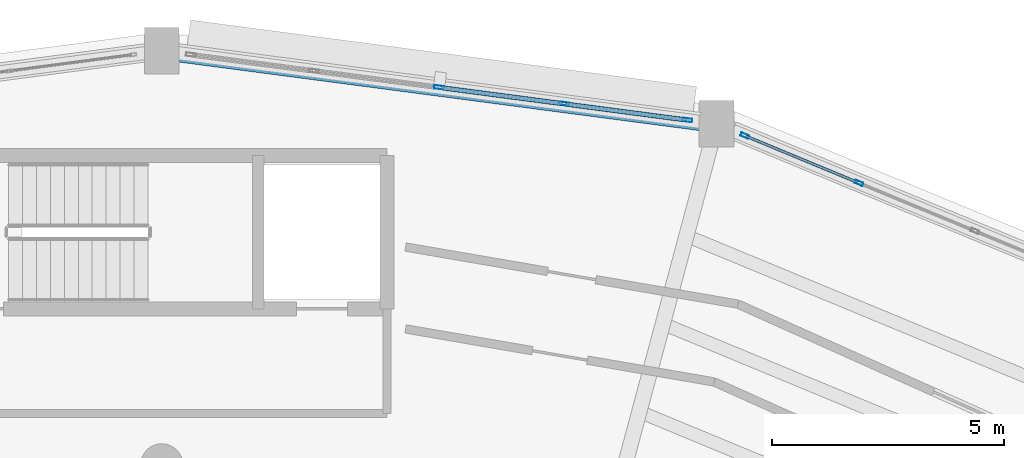
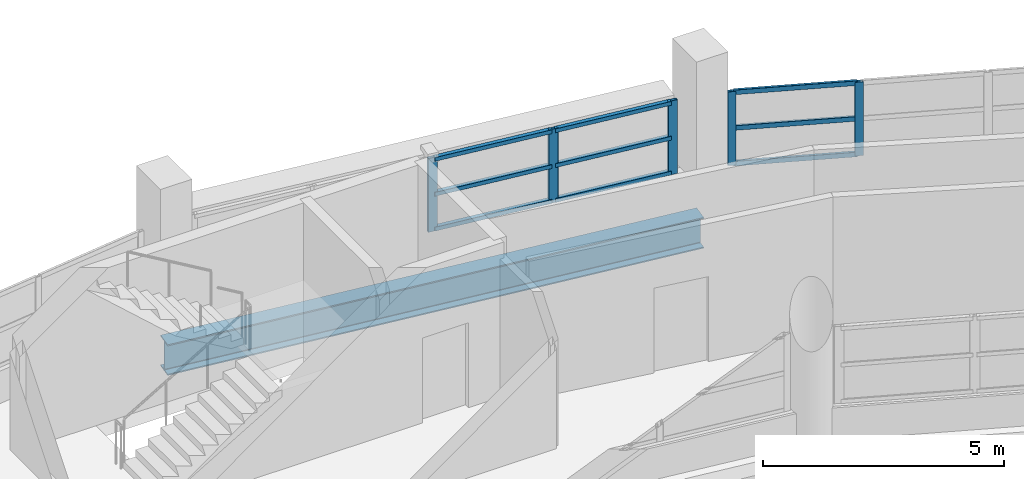
# One storey, part 60 of 121: 14 members, 1 beam, 2 elements without a shape of their own.
"""IFC4 building model written with IfcOpenShell, lengths in metres."""

from ifc_helpers import new_model, si_unit, direction, frame, origin, origin_2d, place, context, subcontext, project, spatial, hollow_rectangle, i_section, extrude, material, layer, layer_set, material_profile, profile_set, type_object, element, aggregate, save


model = new_model("IFC4")

# Units and contexts
model_context = context("Model", 3, precision=1e-05, world=origin(), true_north=direction((0.0, 1.0)))
body_context = subcontext(model_context, "Body", "Model", "MODEL_VIEW")
ifc_project = project(units=[si_unit("LENGTHUNIT", "METRE"), si_unit("AREAUNIT", "SQUARE_METRE"), si_unit("VOLUMEUNIT", "CUBIC_METRE"), si_unit("PLANEANGLEUNIT", "RADIAN"), si_unit("MASSUNIT", "GRAM", prefix="KILO")], contexts=[model_context])

# Site, building, storey
site_placement = place(None, origin())
site = spatial("IfcSite", under=ifc_project, at=site_placement, CompositionType="ELEMENT")
building_placement = place(site_placement, origin())
building = spatial("IfcBuilding", under=site, at=building_placement, Name="Vespera Passage Community Centre", CompositionType="ELEMENT")
storey_placement = place(building_placement, frame((0.0, 0.0, 8.699951171875)))
storey = spatial("IfcBuildingStorey", under=building, at=storey_placement, Name="L02", CompositionType="ELEMENT", Elevation=8.699951171875)

# Beam
ifc_material_1 = material(Name="Steel ASTM A992 Grade 50", Category="steel")
ifc_material_profile_1 = material_profile(ifc_material_1, i_section(OverallWidth=0.382080078125, OverallDepth=0.779296875, WebThickness=0.01806640625, FlangeThickness=0.030029296875, FilletRadius=0.0166015625, at=origin_2d()), Name="W30X191")
ifc_profile_set_1 = profile_set([ifc_material_profile_1], Name="Steel ASTM A992 Grade 50")
beam_type = type_object("IfcBeamType", Name="BM-SP-W30X191E", PredefinedType="SPANDREL", material=ifc_profile_set_1)
beam_placement = place(storey_placement, frame((89.931640625, 110.029296875, -0.729736328125), z_axis=(-0.991445178667, 0.130523782115, 0.0), x_axis=(-0.130523782115, -0.991445178667, 0.0)))
element("IfcBeam", 1, at=beam_placement, inside=storey, type_object=beam_type, Name="V4 L02 Outer Spandrel 5", PredefinedType="SPANDREL", context=body_context, shape_type="SweptSolid", body=[
    extrude(i_section(OverallWidth=0.382080078125, OverallDepth=0.779296875, WebThickness=0.01806640625, FlangeThickness=0.030029296875, FilletRadius=0.0166015625, at=origin_2d()), origin(), (0.0, 0.0, 1.0), 12.03466796875),
])

# Curtain wall, members
ifc_material_2 = material(Name="Anodized aluminium 6063-T6", Category="aluminium")
ifc_layer_1 = layer(ifc_material_2, 0.159912109375)
ifc_layer_set_1 = layer_set([ifc_layer_1], Name="Anodized aluminium 6063-T6")
curtain_wall_type_1 = type_object("IfcCurtainWallType", Name="CW-24E", PredefinedType="NOTDEFINED", material=ifc_layer_set_1)
curtain_wall_1_placement = place(storey_placement, origin())
curtain_wall_1 = element("IfcCurtainWall", 2, at=curtain_wall_1_placement, inside=storey, type_object=curtain_wall_type_1, Name="V4 L02 Outer Ribbon Curtain Wall 4", PredefinedType="NOTDEFINED")
ifc_material_3 = material(Name="Anodized aluminium 6063-T6", Category="aluminium")
ifc_material_profile_2 = material_profile(ifc_material_3, hollow_rectangle(XDim=0.074951171875, YDim=0.179931640625, WallThickness=0.0048828125, InnerFilletRadius=0.00244140625, OuterFilletRadius=0.0048828125, at=origin_2d()), Name="ALU180X75X5")
ifc_profile_set_2 = profile_set([ifc_material_profile_2], Name="Anodized aluminium 6063-T6")
member_type_1 = type_object("IfcMemberType", Name="MB-CWM-180E", PredefinedType="MULLION", material=ifc_profile_set_2)
member_1_placement = place(storey_placement, frame((90.539794921875, 109.77734375, 0.820068359375), z_axis=(0.0, 0.0, 1.0), x_axis=(0.382682936255, 0.923879738007, 0.0)))
member_1 = element("IfcMember", 3, at=member_1_placement, type_object=member_type_1, Name="CW-24E mullion 1", PredefinedType="MULLION", context=body_context, shape_type="SweptSolid", body=[
    extrude(hollow_rectangle(XDim=0.074951171875, YDim=0.179931640625, WallThickness=0.0048828125, InnerFilletRadius=0.00244140625, OuterFilletRadius=0.0048828125, at=origin_2d()), origin(), (0.0, 0.0, 1.0), 1.865478515625),
])
member_2_placement = place(storey_placement, frame((92.998046875, 108.759033203125, 0.820068359375), z_axis=(0.0, 0.0, 1.0), x_axis=(0.382682936255, 0.923879738007, 0.0)))
member_2 = element("IfcMember", 4, at=member_2_placement, type_object=member_type_1, Name="CW-24E mullion 2", PredefinedType="MULLION", context=body_context, shape_type="SweptSolid", body=[
    extrude(hollow_rectangle(XDim=0.074951171875, YDim=0.179931640625, WallThickness=0.0048828125, InnerFilletRadius=0.00244140625, OuterFilletRadius=0.0048828125, at=origin_2d()), origin(), (0.0, 0.0, 1.0), 1.865478515625),
])

ifc_material_4 = material(Name="Anodized aluminium 6063-T6", Category="aluminium")
ifc_layer_2 = layer(ifc_material_4, 0.159912109375)
ifc_layer_set_2 = layer_set([ifc_layer_2], Name="Anodized aluminium 6063-T6")
curtain_wall_type_2 = type_object("IfcCurtainWallType", Name="CW-26E", PredefinedType="NOTDEFINED", material=ifc_layer_set_2)
curtain_wall_2_placement = place(storey_placement, origin())
curtain_wall_2 = element("IfcCurtainWall", 5, at=curtain_wall_2_placement, inside=storey, type_object=curtain_wall_type_2, Name="V4 L02 Outer Ribbon Curtain Wall 5", PredefinedType="NOTDEFINED")
ifc_material_5 = material(Name="Anodized aluminium 6063-T6", Category="aluminium")
ifc_material_profile_3 = material_profile(ifc_material_5, hollow_rectangle(XDim=0.074951171875, YDim=0.2099609375, WallThickness=0.0048828125, InnerFilletRadius=0.00244140625, OuterFilletRadius=0.0048828125, at=origin_2d()), Name="ALU210X75X5")
ifc_profile_set_3 = profile_set([ifc_material_profile_3], Name="Anodized aluminium 6063-T6")
member_type_2 = type_object("IfcMemberType", Name="MB-CWM-210E", PredefinedType="MULLION", material=ifc_profile_set_3)
member_3_placement = place(storey_placement, frame((83.9658203125, 110.814697265625, 0.820068359375), z_axis=(0.0, 0.0, 1.0), x_axis=(0.130530818696, 0.991444252276, 0.0)))
member_3 = element("IfcMember", 6, at=member_3_placement, type_object=member_type_2, Name="CW-26E mullion 3", PredefinedType="MULLION", context=body_context, shape_type="SweptSolid", body=[
    extrude(hollow_rectangle(XDim=0.074951171875, YDim=0.2099609375, WallThickness=0.0048828125, InnerFilletRadius=0.00244140625, OuterFilletRadius=0.0048828125, at=origin_2d()), origin(), (0.0, 0.0, 1.0), 1.865478515625),
])
member_4_placement = place(storey_placement, frame((86.654541015625, 110.460693359375, 0.820068359375), z_axis=(0.0, 0.0, 1.0), x_axis=(0.130530818696, 0.991444252276, 0.0)))
member_4 = element("IfcMember", 7, at=member_4_placement, type_object=member_type_2, Name="CW-26E mullion 4", PredefinedType="MULLION", context=body_context, shape_type="SweptSolid", body=[
    extrude(hollow_rectangle(XDim=0.074951171875, YDim=0.2099609375, WallThickness=0.0048828125, InnerFilletRadius=0.00244140625, OuterFilletRadius=0.0048828125, at=origin_2d()), origin(), (0.0, 0.0, 1.0), 1.865478515625),
])
member_5_placement = place(storey_placement, frame((89.30615234375, 110.111572265625, 0.820068359375), z_axis=(0.0, 0.0, 1.0), x_axis=(0.130530818696, 0.991444252276, 0.0)))
member_5 = element("IfcMember", 8, at=member_5_placement, type_object=member_type_2, Name="CW-26E mullion 5", PredefinedType="MULLION", context=body_context, shape_type="SweptSolid", body=[
    extrude(hollow_rectangle(XDim=0.074951171875, YDim=0.2099609375, WallThickness=0.0048828125, InnerFilletRadius=0.00244140625, OuterFilletRadius=0.0048828125, at=origin_2d()), origin(), (0.0, 0.0, 1.0), 1.865478515625),
])
ifc_material_6 = material(Name="Anodized aluminium 6063-T6", Category="aluminium")
ifc_material_profile_4 = material_profile(ifc_material_6, hollow_rectangle(XDim=0.10009765625, YDim=0.10009765625, WallThickness=0.00390625, InnerFilletRadius=0.001953125, OuterFilletRadius=0.00390625, at=origin_2d()), Name="ALU100X100X4")
ifc_profile_set_4 = profile_set([ifc_material_profile_4], Name="Anodized aluminium 6063-T6")
member_type_3 = type_object("IfcMemberType", Name="MB-CWT-100E", PredefinedType="USERDEFINED", material=ifc_profile_set_4)
member_6_placement = place(storey_placement, frame((84.0029296875, 110.809814453125, 0.8701171875), z_axis=(0.991443263023, -0.130538332324, 0.0), x_axis=(0.130538332324, 0.991443263023, 0.0)))
member_6 = element("IfcMember", 9, at=member_6_placement, type_object=member_type_3, Name="CW-26E transom 3.1", ObjectType="TRANSOM", PredefinedType="USERDEFINED", context=body_context, shape_type="SweptSolid", body=[
    extrude(hollow_rectangle(XDim=0.10009765625, YDim=0.10009765625, WallThickness=0.00390625, InnerFilletRadius=0.001953125, OuterFilletRadius=0.00390625, at=origin_2d()), origin(), (0.0, 0.0, 1.0), 2.636962890625),
])
member_7_placement = place(storey_placement, frame((84.0029296875, 110.809814453125, 1.7529296875), z_axis=(0.991443263023, -0.130538332324, 0.0), x_axis=(0.130538332324, 0.991443263023, 0.0)))
member_7 = element("IfcMember", 10, at=member_7_placement, type_object=member_type_3, Name="CW-26E transom 3.2", ObjectType="TRANSOM", PredefinedType="USERDEFINED", context=body_context, shape_type="SweptSolid", body=[
    extrude(hollow_rectangle(XDim=0.10009765625, YDim=0.10009765625, WallThickness=0.00390625, InnerFilletRadius=0.001953125, OuterFilletRadius=0.00390625, at=origin_2d()), origin(), (0.0, 0.0, 1.0), 2.636962890625),
])
member_8_placement = place(storey_placement, frame((84.0029296875, 110.809814453125, 2.6357421875), z_axis=(0.991443263023, -0.130538332324, 0.0), x_axis=(0.130538332324, 0.991443263023, 0.0)))
member_8 = element("IfcMember", 11, at=member_8_placement, type_object=member_type_3, Name="CW-26E transom 3.3", ObjectType="TRANSOM", PredefinedType="USERDEFINED", context=body_context, shape_type="SweptSolid", body=[
    extrude(hollow_rectangle(XDim=0.10009765625, YDim=0.10009765625, WallThickness=0.00390625, InnerFilletRadius=0.001953125, OuterFilletRadius=0.00390625, at=origin_2d()), origin(), (0.0, 0.0, 1.0), 2.636962890625),
])
member_9_placement = place(storey_placement, frame((86.69189453125, 110.455810546875, 0.8701171875), z_axis=(0.991441503566, -0.130551694767, 0.0), x_axis=(0.130551694767, 0.991441503566, 0.0)))
member_9 = element("IfcMember", 12, at=member_9_placement, type_object=member_type_3, Name="CW-26E transom 4.1", ObjectType="TRANSOM", PredefinedType="USERDEFINED", context=body_context, shape_type="SweptSolid", body=[
    extrude(hollow_rectangle(XDim=0.10009765625, YDim=0.10009765625, WallThickness=0.00390625, InnerFilletRadius=0.001953125, OuterFilletRadius=0.00390625, at=origin_2d()), origin(), (0.0, 0.0, 1.0), 2.599365234375),
])
member_10_placement = place(storey_placement, frame((86.69189453125, 110.455810546875, 1.7529296875), z_axis=(0.991441503566, -0.130551694767, 0.0), x_axis=(0.130551694767, 0.991441503566, 0.0)))
member_10 = element("IfcMember", 13, at=member_10_placement, type_object=member_type_3, Name="CW-26E transom 4.2", ObjectType="TRANSOM", PredefinedType="USERDEFINED", context=body_context, shape_type="SweptSolid", body=[
    extrude(hollow_rectangle(XDim=0.10009765625, YDim=0.10009765625, WallThickness=0.00390625, InnerFilletRadius=0.001953125, OuterFilletRadius=0.00390625, at=origin_2d()), origin(), (0.0, 0.0, 1.0), 2.599365234375),
])
member_11_placement = place(storey_placement, frame((86.69189453125, 110.455810546875, 2.6357421875), z_axis=(0.991441503566, -0.130551694767, 0.0), x_axis=(0.130551694767, 0.991441503566, 0.0)))
member_11 = element("IfcMember", 14, at=member_11_placement, type_object=member_type_3, Name="CW-26E transom 4.3", ObjectType="TRANSOM", PredefinedType="USERDEFINED", context=body_context, shape_type="SweptSolid", body=[
    extrude(hollow_rectangle(XDim=0.10009765625, YDim=0.10009765625, WallThickness=0.00390625, InnerFilletRadius=0.001953125, OuterFilletRadius=0.00390625, at=origin_2d()), origin(), (0.0, 0.0, 1.0), 2.599365234375),
])
aggregate(curtain_wall_2, [member_3, member_4, member_5, member_6, member_7, member_8, member_9, member_10, member_11])

# Member
ifc_material_7 = material(Name="Anodized aluminium 6063-T6", Category="aluminium")
ifc_material_profile_5 = material_profile(ifc_material_7, hollow_rectangle(XDim=0.06005859375, YDim=0.1201171875, WallThickness=0.00390625, InnerFilletRadius=0.001953125, OuterFilletRadius=0.00390625, at=origin_2d()), Name="ALU120X60X4")
ifc_profile_set_5 = profile_set([ifc_material_profile_5], Name="Anodized aluminium 6063-T6")
member_type_4 = type_object("IfcMemberType", Name="MB-CWT-120E", PredefinedType="USERDEFINED", material=ifc_profile_set_5)
member_12_placement = place(storey_placement, frame((90.574462890625, 109.762939453125, 0.85009765625), z_axis=(0.923882193286, -0.382677008624, 0.0), x_axis=(0.382677008624, 0.923882193286, 0.0)))
member_12 = element("IfcMember", 15, at=member_12_placement, type_object=member_type_4, Name="CW-24E transom 1.1", ObjectType="TRANSOM", PredefinedType="USERDEFINED", context=body_context, shape_type="SweptSolid", body=[
    extrude(hollow_rectangle(XDim=0.06005859375, YDim=0.1201171875, WallThickness=0.00390625, InnerFilletRadius=0.001953125, OuterFilletRadius=0.00390625, at=origin_2d()), origin(), (0.0, 0.0, 1.0), 2.585693359375),
])

member_13_placement = place(storey_placement, frame((90.574462890625, 109.762939453125, 1.7529296875), z_axis=(0.923882193286, -0.382677008624, 0.0), x_axis=(0.382677008624, 0.923882193286, 0.0)))
member_13 = element("IfcMember", 16, at=member_13_placement, type_object=member_type_4, Name="CW-24E transom 1.2", ObjectType="TRANSOM", PredefinedType="USERDEFINED", context=body_context, shape_type="SweptSolid", body=[
    extrude(hollow_rectangle(XDim=0.06005859375, YDim=0.1201171875, WallThickness=0.00390625, InnerFilletRadius=0.001953125, OuterFilletRadius=0.00390625, at=origin_2d()), origin(), (0.0, 0.0, 1.0), 2.585693359375),
])

member_14_placement = place(storey_placement, frame((90.574462890625, 109.762939453125, 2.65576171875), z_axis=(0.923882193286, -0.382677008624, 0.0), x_axis=(0.382677008624, 0.923882193286, 0.0)))
member_14 = element("IfcMember", 17, at=member_14_placement, type_object=member_type_4, Name="CW-24E transom 1.3", ObjectType="TRANSOM", PredefinedType="USERDEFINED", context=body_context, shape_type="SweptSolid", body=[
    extrude(hollow_rectangle(XDim=0.06005859375, YDim=0.1201171875, WallThickness=0.00390625, InnerFilletRadius=0.001953125, OuterFilletRadius=0.00390625, at=origin_2d()), origin(), (0.0, 0.0, 1.0), 2.585693359375),
])

aggregate(curtain_wall_1, [member_1, member_2, member_12, member_13, member_14])

save(model, "model.ifc")
